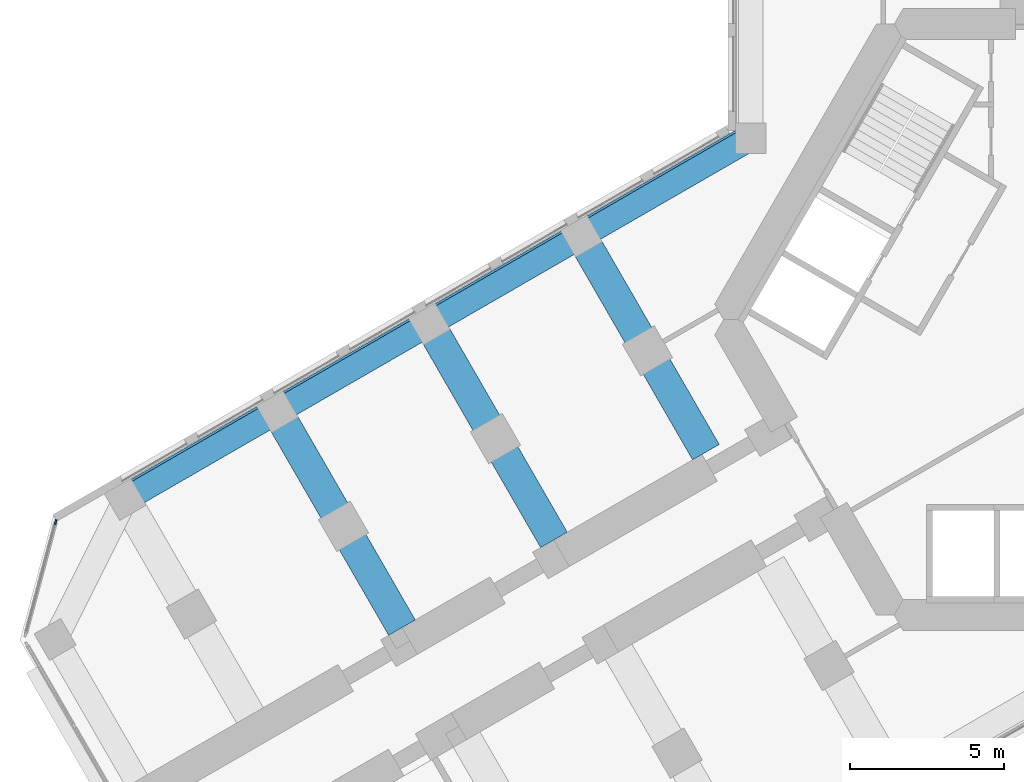
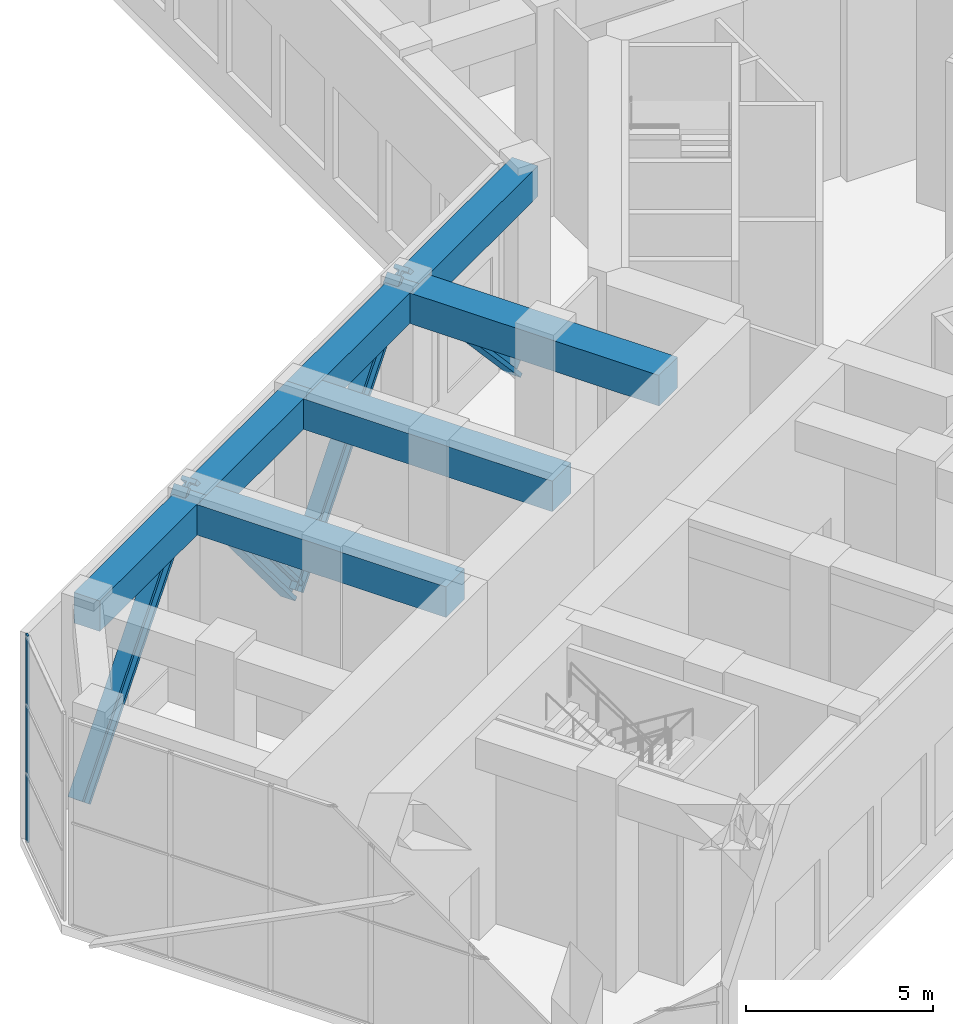
# One storey, part 4 of 17: 7 beams, 5 members, 1 element without a shape of its own.
"""IFC4 building model written with IfcOpenShell, lengths in metres."""

from ifc_helpers import new_model, si_unit, direction, frame, origin, origin_2d, place, context, subcontext, project, spatial, rectangle, i_section, extrude, material, material_profile, profile_set, type_object, element, aggregate, save


model = new_model("IFC4")

# Units and contexts
model_context = context("Model", 3, precision=1e-05, world=origin(), true_north=direction((0.0, 1.0)))
body_context = subcontext(model_context, "Body", "Model", "MODEL_VIEW")
ifc_project = project(units=[si_unit("LENGTHUNIT", "METRE"), si_unit("AREAUNIT", "SQUARE_METRE"), si_unit("VOLUMEUNIT", "CUBIC_METRE"), si_unit("PLANEANGLEUNIT", "RADIAN"), si_unit("MASSUNIT", "GRAM", prefix="KILO")], contexts=[model_context])

# Site, building, storey
site_placement = place(None, origin())
site = spatial("IfcSite", under=ifc_project, at=site_placement, CompositionType="ELEMENT")
building_placement = place(site_placement, origin())
building = spatial("IfcBuilding", under=site, at=building_placement, Name="Kosmar Iwan School Tower", CompositionType="ELEMENT")
storey_placement = place(building_placement, frame((0.0, 0.0, 113.199951171875)))
storey = spatial("IfcBuildingStorey", under=building, at=storey_placement, Name="L28", CompositionType="ELEMENT", Elevation=113.199951171875)

# Members
ifc_material_1 = material(Name="Steel S355", Category="steel")
ifc_material_profile_1 = material_profile(ifc_material_1, i_section(OverallWidth=0.4541015625, OverallDepth=0.569091796875, WebThickness=0.077880859375, FlangeThickness=0.125, FilletRadius=0.014892578125, at=origin_2d()), Name="HD 400x1086")
ifc_profile_set_1 = profile_set([ifc_material_profile_1], Name="Steel S355")
member_type_1 = type_object("IfcMemberType", Name="Belt truss diagonal HD 400x1086", PredefinedType="BRACE", material=ifc_profile_set_1)
member_1_placement = place(storey_placement, frame((-10.321533203125, 6.099365234375, 0.0), z_axis=(-0.592058588083, -0.341816487633, 0.729813755049), x_axis=(0.49999045822, -0.866030912664, 0.0)))
element("IfcMember", 1, at=member_1_placement, inside=storey, type_object=member_type_1, Name="Belt truss diagonal BR1", PredefinedType="BRACE", context=body_context, shape_type="SweptSolid", body=[
    extrude(i_section(OverallWidth=0.4541015625, OverallDepth=0.569091796875, WebThickness=0.077880859375, FlangeThickness=0.125, FilletRadius=0.014892578125, at=origin_2d()), origin(), (0.0, 0.0, 1.0), 9.304443359375),
])
for number, where, z_axis, x_axis, name in (
    (2, (-15.830322265625, 2.9189453125, 6.79052734375), (-0.556782035873, -0.321473539086, -0.76592984548), (0.50001782563, -0.866015111908, 0.0), "Belt truss diagonal BR2"),
    (3, (-20.7666015625, 0.06884765625, 0.0), (-0.556786964695, -0.321448847069, 0.765936625749), (0.49998570155, -0.866033658841, 0.0), "Belt truss diagonal BR3"),
):
    element("IfcMember", number, at=place(storey_placement, frame(where, z_axis=z_axis, x_axis=x_axis)), inside=storey, type_object=member_type_1, Name=name, PredefinedType="BRACE", context=body_context, shape_type="SweptSolid", body=[
        extrude(i_section(OverallWidth=0.4541015625, OverallDepth=0.569091796875, WebThickness=0.077880859375, FlangeThickness=0.125, FilletRadius=0.014892578125, at=origin_2d()), origin(), (0.0, 0.0, 1.0), 8.86572265625),
    ])
member_2_placement = place(storey_placement, frame((-25.702880859375, -2.781005859375, 6.79052734375), z_axis=(-0.556801036184, -0.321468610109, -0.7659181019), x_axis=(0.499999279071, -0.866025820012, 0.0)))
element("IfcMember", 4, at=member_2_placement, inside=storey, type_object=member_type_1, Name="Belt truss diagonal BR4", PredefinedType="BRACE", context=body_context, shape_type="SweptSolid", body=[
    extrude(i_section(OverallWidth=0.4541015625, OverallDepth=0.569091796875, WebThickness=0.077880859375, FlangeThickness=0.125, FilletRadius=0.014892578125, at=origin_2d()), origin(), (0.0, 0.0, 1.0), 8.865966796875),
])

# Beams
ifc_material_2 = material(Name="Concrete C50/60", Category="concrete")
ifc_material_profile_2 = material_profile(ifc_material_2, rectangle(XDim=0.800048828125, YDim=1.0, at=origin_2d()), Name="RC 800x1000 + HD 400x634")
ifc_profile_set_2 = profile_set([ifc_material_profile_2], Name="Concrete C50/60")
beam_type_1 = type_object("IfcBeamType", Name="Composite edge beam 800x1000 HD 400x634", PredefinedType="BEAM", material=ifc_profile_set_2)
beam_1_placement = place(storey_placement, frame((-10.199951171875, 5.888916015625, 6.25), z_axis=(-0.866030912664, -0.49999045822, 0.0), x_axis=(0.49999045822, -0.866030912664, 0.0)))
element("IfcBeam", 5, at=beam_1_placement, inside=storey, type_object=beam_type_1, Name="Edge beam BR1", PredefinedType="BEAM", context=body_context, shape_type="SweptSolid", body=[
    extrude(rectangle(XDim=0.800048828125, YDim=1.0, at=origin_2d()), origin(), (0.0, 0.0, 1.0), 6.36083984375),
])
beam_2_placement = place(storey_placement, frame((-15.708740234375, 2.70849609375, 6.25), z_axis=(-0.866025820012, -0.499999279071, 0.0), x_axis=(0.499999279071, -0.866025820012, 0.0)))
element("IfcBeam", 6, at=beam_2_placement, inside=storey, type_object=beam_type_1, Name="Edge beam BR2", PredefinedType="BEAM", context=body_context, shape_type="SweptSolid", body=[
    extrude(rectangle(XDim=0.800048828125, YDim=1.0, at=origin_2d()), origin(), (0.0, 0.0, 1.0), 5.7001953125),
])
for number, where, z_axis, x_axis, name in (
    (7, (-20.645263671875, -0.1416015625, 6.25), (-0.866033658841, -0.49998570155, 0.0), (0.49998570155, -0.866033658841, 0.0), "Edge beam BR3"),
    (8, (-25.58154296875, -2.991455078125, 6.25), (-0.866015111908, -0.50001782563, 0.0), (0.50001782563, -0.866015111908, 0.0), "Edge beam BR4"),
):
    element("IfcBeam", number, at=place(storey_placement, frame(where, z_axis=z_axis, x_axis=x_axis)), inside=storey, type_object=beam_type_1, Name=name, PredefinedType="BEAM", context=body_context, shape_type="SweptSolid", body=[
        extrude(rectangle(XDim=0.800048828125, YDim=1.0, at=origin_2d()), origin(), (0.0, 0.0, 1.0), 5.699951171875),
    ])
ifc_material_3 = material(Name="Concrete C50/60", Category="concrete")
ifc_material_profile_3 = material_profile(ifc_material_3, rectangle(XDim=1.0, YDim=1.0, at=origin_2d()), Name="RC 1000x1000 + HD 400x347")
ifc_profile_set_3 = profile_set([ifc_material_profile_3], Name="Concrete C50/60")
beam_type_2 = type_object("IfcBeamType", Name="Composite transverse beam 1000x1000 HD 400x347", PredefinedType="BEAM", material=ifc_profile_set_3)
beam_3_placement = place(storey_placement, frame((-15.708740234375, 2.70849609375, 6.25), z_axis=(0.499999880539, -0.866025472755, 0.0), x_axis=(0.866025472755, 0.499999880539, 0.0)))
element("IfcBeam", 9, at=beam_3_placement, inside=storey, type_object=beam_type_2, Name="Transverse beam BR1", PredefinedType="BEAM", context=body_context, shape_type="SweptSolid", body=[
    extrude(rectangle(XDim=1.0, YDim=1.0, at=origin_2d()), origin(), (0.0, 0.0, 1.0), 8.10009765625),
])
beam_4_placement = place(storey_placement, frame((-20.645263671875, -0.1416015625, 6.25), z_axis=(0.500012932018, -0.866017937352, 0.0), x_axis=(0.866017937352, 0.500012932018, 0.0)))
element("IfcBeam", 10, at=beam_4_placement, inside=storey, type_object=beam_type_2, Name="Transverse beam BR2", PredefinedType="BEAM", context=body_context, shape_type="SweptSolid", body=[
    extrude(rectangle(XDim=1.0, YDim=1.0, at=origin_2d()), origin(), (0.0, 0.0, 1.0), 8.099853515625),
])
beam_5_placement = place(storey_placement, frame((-25.58154296875, -2.991455078125, 6.25), z_axis=(0.499999880539, -0.866025472755, 0.0), x_axis=(0.866025472755, 0.499999880539, 0.0)))
element("IfcBeam", 11, at=beam_5_placement, inside=storey, type_object=beam_type_2, Name="Transverse beam BR3", PredefinedType="BEAM", context=body_context, shape_type="SweptSolid", body=[
    extrude(rectangle(XDim=1.0, YDim=1.0, at=origin_2d()), origin(), (0.0, 0.0, 1.0), 8.10009765625),
])

# Curtain wall, member
ifc_material_4 = material(Name="Dark glass in black aluminium frame", Category="aluminium")
curtain_wall_type = type_object("IfcCurtainWallType", Name="Chamfer curtain wall dark glass", PredefinedType="USERDEFINED", material=ifc_material_4)
curtain_wall_placement = place(storey_placement, origin())
curtain_wall = element("IfcCurtainWall", 12, at=curtain_wall_placement, inside=storey, type_object=curtain_wall_type, Name="Curtain wall L28-F12", ObjectType="FACETED CURTAIN WALL", PredefinedType="USERDEFINED")
ifc_material_5 = material(Name="Black anodised aluminium", Category="aluminium")
ifc_material_profile_4 = material_profile(ifc_material_5, rectangle(XDim=0.06005859375, YDim=0.159912109375, at=origin_2d()), Name="MULLION 60x160")
ifc_profile_set_4 = profile_set([ifc_material_profile_4], Name="Black anodised aluminium")
member_type_2 = type_object("IfcMemberType", Name="Mullion 60x160", PredefinedType="MULLION", material=ifc_profile_set_4)
member_3_placement = place(storey_placement, frame((-32.78076171875, -6.5732421875, 0.0), z_axis=(0.0, 0.0, 1.0), x_axis=(0.965925875495, -0.258818861462, 0.0)))
member_3 = element("IfcMember", 13, at=member_3_placement, type_object=member_type_2, Name="CW2 mullion 1", PredefinedType="MULLION", context=body_context, shape_type="SweptSolid", body=[
    extrude(rectangle(XDim=0.06005859375, YDim=0.159912109375, at=origin_2d()), origin(), (0.0, 0.0, 1.0), 6.75),
])
aggregate(curtain_wall, [member_3])

save(model, "model.ifc")
